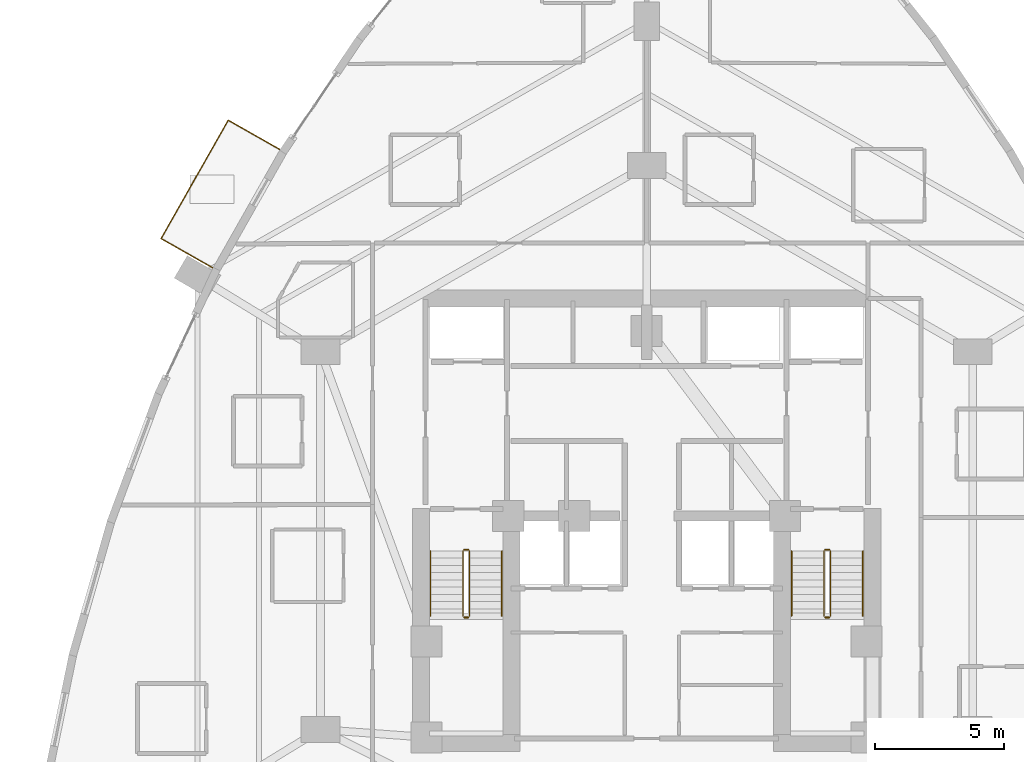
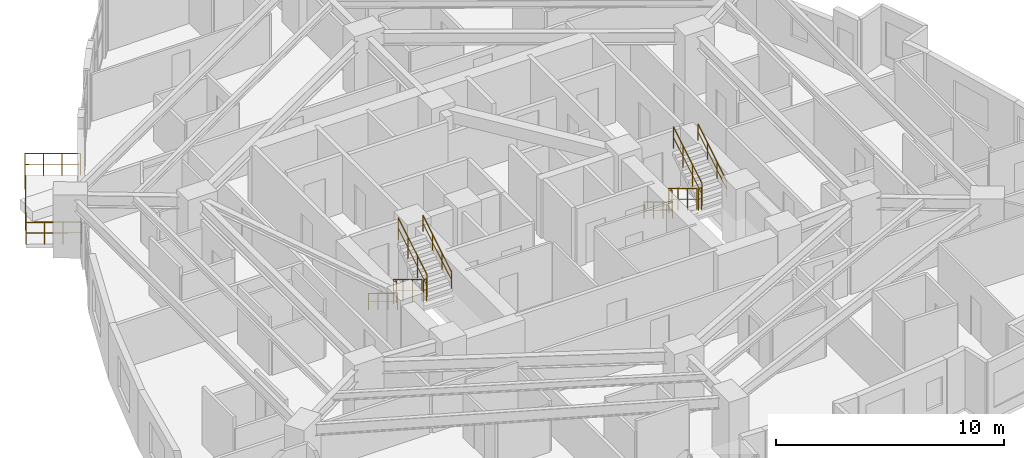
# One storey, part 17 of 17: 13 railings.
"""IFC4 building model written with IfcOpenShell, lengths in metres."""

from ifc_helpers import new_model, si_unit, direction, frame, origin, origin_2d, place, context, subcontext, project, spatial, circle, extrude, material, type_object, element, save


model = new_model("IFC4")

# Units and contexts
model_context = context("Model", 3, precision=1e-05, world=origin(), true_north=direction((0.0, 1.0)))
body_context = subcontext(model_context, "Body", "Model", "MODEL_VIEW")
ifc_project = project(units=[si_unit("LENGTHUNIT", "METRE"), si_unit("AREAUNIT", "SQUARE_METRE"), si_unit("VOLUMEUNIT", "CUBIC_METRE"), si_unit("PLANEANGLEUNIT", "RADIAN"), si_unit("MASSUNIT", "GRAM", prefix="KILO")], contexts=[model_context])

# Site, building, storey
site_placement = place(None, origin())
site = spatial("IfcSite", under=ifc_project, at=site_placement, CompositionType="ELEMENT")
building_placement = place(site_placement, origin())
building = spatial("IfcBuilding", under=site, at=building_placement, Name="Miruveldt Soraemaru", CompositionType="ELEMENT")
storey_placement = place(building_placement, frame((0.0, 0.0, 53.0)))
storey = spatial("IfcBuildingStorey", under=building, at=storey_placement, Name="L14", CompositionType="ELEMENT", Elevation=53.0)

# Railings
ifc_material_1 = material(Name="Anodised aluminium EN AW-6063 T6", Category="aluminium")
railing_type_1 = type_object("IfcRailingType", Name="RAIL-BAL-1200", PredefinedType="BALUSTRADE", material=ifc_material_1)
railing_1_placement = place(storey_placement, frame((29.96240234375, 58.134765625, 0.0)))
element("IfcRailing", 1, at=railing_1_placement, inside=storey, type_object=railing_type_1, Name="L14 Sky Garden Deck Guardrail", PredefinedType="BALUSTRADE", context=body_context, shape_type="SweptSolid", body=[
    extrude(circle(Radius=0.02392578125, at=origin_2d()), frame((0.0, 0.0, 1.17578125), z_axis=(-0.86982692837, 0.493356985034, 0.0), x_axis=(-0.493356985034, -0.86982692837, 0.0)), (0.0, 0.0, 1.0), 2.449951171875),
    extrude(circle(Radius=0.01611328125, at=origin_2d()), frame((0.0, 0.0, 0.60009765625), z_axis=(-0.86982692837, 0.493356985034, 0.0), x_axis=(-0.493356985034, -0.86982692837, 0.0)), (0.0, 0.0, 1.0), 2.449951171875),
    extrude(circle(Radius=0.02392578125, at=origin_2d()), frame((-2.131103515625, 1.208740234375, 1.17578125), z_axis=(-0.493360559662, -0.869824900868, 0.0), x_axis=(0.869824900868, -0.493360559662, 0.0)), (0.0, 0.0, 1.0), 5.2568359375),
    extrude(circle(Radius=0.01611328125, at=origin_2d()), frame((-2.131103515625, 1.208740234375, 0.60009765625), z_axis=(-0.493360559662, -0.869824900868, 0.0), x_axis=(0.869824900868, -0.493360559662, 0.0)), (0.0, 0.0, 1.0), 5.2568359375),
    extrude(circle(Radius=0.02392578125, at=origin_2d()), frame((-4.724609375, -3.36376953125, 1.17578125), z_axis=(0.86982692837, -0.493356985034, 0.0), x_axis=(0.493356985034, 0.86982692837, 0.0)), (0.0, 0.0, 1.0), 2.449951171875),
    extrude(circle(Radius=0.01611328125, at=origin_2d()), frame((-4.724609375, -3.36376953125, 0.60009765625), z_axis=(0.86982692837, -0.493356985034, 0.0), x_axis=(0.493356985034, 0.86982692837, 0.0)), (0.0, 0.0, 1.0), 2.449951171875),
    extrude(circle(Radius=0.02099609375, at=origin_2d()), origin(), (0.0, 0.0, 1.0), 1.15185546875),
    extrude(circle(Radius=0.02099609375, at=origin_2d()), frame((-0.71044921875, 0.40283203125, 0.0)), (0.0, 0.0, 1.0), 1.15185546875),
    extrude(circle(Radius=0.02099609375, at=origin_2d()), frame((-1.420654296875, 0.805908203125, 0.0)), (0.0, 0.0, 1.0), 1.15185546875),
    extrude(circle(Radius=0.02099609375, at=origin_2d()), frame((-2.131103515625, 1.208740234375, 0.0)), (0.0, 0.0, 1.0), 1.15185546875),
    extrude(circle(Radius=0.02099609375, at=origin_2d()), frame((-2.64990234375, 0.294189453125, 0.0)), (0.0, 0.0, 1.0), 1.15185546875),
    extrude(circle(Radius=0.02099609375, at=origin_2d()), frame((-3.16845703125, -0.620361328125, 0.0)), (0.0, 0.0, 1.0), 1.15185546875),
    extrude(circle(Radius=0.02099609375, at=origin_2d()), frame((-3.687255859375, -1.53466796875, 0.0)), (0.0, 0.0, 1.0), 1.15185546875),
    extrude(circle(Radius=0.02099609375, at=origin_2d()), frame((-4.205810546875, -2.44921875, 0.0)), (0.0, 0.0, 1.0), 1.15185546875),
    extrude(circle(Radius=0.02099609375, at=origin_2d()), frame((-4.724609375, -3.36376953125, 0.0)), (0.0, 0.0, 1.0), 1.15185546875),
    extrude(circle(Radius=0.02099609375, at=origin_2d()), frame((-4.01416015625, -3.7666015625, 0.0)), (0.0, 0.0, 1.0), 1.15185546875),
    extrude(circle(Radius=0.02099609375, at=origin_2d()), frame((-3.303955078125, -4.169677734375, 0.0)), (0.0, 0.0, 1.0), 1.15185546875),
    extrude(circle(Radius=0.02099609375, at=origin_2d()), frame((-2.593505859375, -4.572509765625, 0.0)), (0.0, 0.0, 1.0), 1.15185546875),
])
ifc_material_2 = material(Name="Steel S355 (355 MPa)", Category="steel")
railing_type_2 = type_object("IfcRailingType", Name="RAIL-HR-900", PredefinedType="HANDRAIL", material=ifc_material_2)
railing_2_placement = place(storey_placement, frame((35.64990234375, 42.699951171875, 0.169921875)))
element("IfcRailing", 2, at=railing_2_placement, inside=storey, type_object=railing_type_2, Name="L14 ST-1 stair handrail 1", PredefinedType="HANDRAIL", context=body_context, shape_type="SweptSolid", body=[
    extrude(circle(Radius=0.02392578125, at=origin_2d()), frame((0.0, 0.0, 0.8759765625), z_axis=(0.0, -0.85478489116, 0.518982456201), x_axis=(1.0, 0.0, 0.0)), (0.0, 0.0, 1.0), 2.9482421875),
    extrude(circle(Radius=0.01611328125, at=origin_2d()), frame((0.0, 0.0, 0.449951171875), z_axis=(0.0, -0.85478489116, 0.518982456201), x_axis=(1.0, 0.0, 0.0)), (0.0, 0.0, 1.0), 2.9482421875),
    extrude(circle(Radius=0.02099609375, at=origin_2d()), origin(), (0.0, 0.0, 1.0), 0.851806640625),
    extrude(circle(Radius=0.02099609375, at=origin_2d()), frame((0.0, -0.840087890625, 0.510009765625)), (0.0, 0.0, 1.0), 0.851806640625),
    extrude(circle(Radius=0.02099609375, at=origin_2d()), frame((0.0, -1.679931640625, 1.02001953125)), (0.0, 0.0, 1.0), 0.851806640625),
    extrude(circle(Radius=0.02099609375, at=origin_2d()), frame((0.0, -2.52001953125, 1.530029296875)), (0.0, 0.0, 1.0), 0.851806640625),
])
railing_3_placement = place(storey_placement, frame((38.39990234375, 40.179931640625, 1.8701171875)))
element("IfcRailing", 3, at=railing_3_placement, inside=storey, type_object=railing_type_2, Name="L14 ST-1 stair handrail 2", PredefinedType="HANDRAIL", context=body_context, shape_type="SweptSolid", body=[
    extrude(circle(Radius=0.02392578125, at=origin_2d()), frame((0.0, 0.0, 0.8759765625), z_axis=(0.0, 0.854821627497, 0.518921945155), x_axis=(-1.0, 0.0, 0.0)), (0.0, 0.0, 1.0), 2.947998046875),
    extrude(circle(Radius=0.01611328125, at=origin_2d()), frame((0.0, 0.0, 0.449951171875), z_axis=(0.0, 0.854821627497, 0.518921945155), x_axis=(-1.0, 0.0, 0.0)), (0.0, 0.0, 1.0), 2.947998046875),
    extrude(circle(Radius=0.02099609375, at=origin_2d()), origin(), (0.0, 0.0, 1.0), 0.851806640625),
    extrude(circle(Radius=0.02099609375, at=origin_2d()), frame((0.0, 0.840087890625, 0.510009765625)), (0.0, 0.0, 1.0), 0.851806640625),
    extrude(circle(Radius=0.02099609375, at=origin_2d()), frame((0.0, 1.679931640625, 1.019775390625)), (0.0, 0.0, 1.0), 0.851806640625),
    extrude(circle(Radius=0.02099609375, at=origin_2d()), frame((0.0, 2.52001953125, 1.52978515625)), (0.0, 0.0, 1.0), 0.851806640625),
])
railing_4_placement = place(storey_placement, frame((49.60009765625, 42.699951171875, 0.169921875)))
element("IfcRailing", 4, at=railing_4_placement, inside=storey, type_object=railing_type_2, Name="L14 ST-2 stair handrail 1", PredefinedType="HANDRAIL", context=body_context, shape_type="SweptSolid", body=[
    extrude(circle(Radius=0.02392578125, at=origin_2d()), frame((0.0, 0.0, 0.8759765625), z_axis=(0.0, -0.85478489116, 0.518982456201), x_axis=(1.0, 0.0, 0.0)), (0.0, 0.0, 1.0), 2.9482421875),
    extrude(circle(Radius=0.01611328125, at=origin_2d()), frame((0.0, 0.0, 0.449951171875), z_axis=(0.0, -0.85478489116, 0.518982456201), x_axis=(1.0, 0.0, 0.0)), (0.0, 0.0, 1.0), 2.9482421875),
    extrude(circle(Radius=0.02099609375, at=origin_2d()), origin(), (0.0, 0.0, 1.0), 0.851806640625),
    extrude(circle(Radius=0.02099609375, at=origin_2d()), frame((0.0, -0.840087890625, 0.510009765625)), (0.0, 0.0, 1.0), 0.851806640625),
    extrude(circle(Radius=0.02099609375, at=origin_2d()), frame((0.0, -1.679931640625, 1.02001953125)), (0.0, 0.0, 1.0), 0.851806640625),
    extrude(circle(Radius=0.02099609375, at=origin_2d()), frame((0.0, -2.52001953125, 1.530029296875)), (0.0, 0.0, 1.0), 0.851806640625),
])
railing_5_placement = place(storey_placement, frame((52.35009765625, 40.179931640625, 1.8701171875)))
element("IfcRailing", 5, at=railing_5_placement, inside=storey, type_object=railing_type_2, Name="L14 ST-2 stair handrail 2", PredefinedType="HANDRAIL", context=body_context, shape_type="SweptSolid", body=[
    extrude(circle(Radius=0.02392578125, at=origin_2d()), frame((0.0, 0.0, 0.8759765625), z_axis=(0.0, 0.854821627497, 0.518921945155), x_axis=(-1.0, 0.0, 0.0)), (0.0, 0.0, 1.0), 2.947998046875),
    extrude(circle(Radius=0.01611328125, at=origin_2d()), frame((0.0, 0.0, 0.449951171875), z_axis=(0.0, 0.854821627497, 0.518921945155), x_axis=(-1.0, 0.0, 0.0)), (0.0, 0.0, 1.0), 2.947998046875),
    extrude(circle(Radius=0.02099609375, at=origin_2d()), origin(), (0.0, 0.0, 1.0), 0.851806640625),
    extrude(circle(Radius=0.02099609375, at=origin_2d()), frame((0.0, 0.840087890625, 0.510009765625)), (0.0, 0.0, 1.0), 0.851806640625),
    extrude(circle(Radius=0.02099609375, at=origin_2d()), frame((0.0, 1.679931640625, 1.019775390625)), (0.0, 0.0, 1.0), 0.851806640625),
    extrude(circle(Radius=0.02099609375, at=origin_2d()), frame((0.0, 2.52001953125, 1.52978515625)), (0.0, 0.0, 1.0), 0.851806640625),
])
railing_type_3 = type_object("IfcRailingType", Name="RAIL-STGUARD-1200", PredefinedType="GUARDRAIL", material=ifc_material_2)
railing_6_placement = place(storey_placement, frame((36.89990234375, 42.699951171875, 0.169921875)))
element("IfcRailing", 6, at=railing_6_placement, inside=storey, type_object=railing_type_3, Name="L14 ST-1 stair guard 1", PredefinedType="GUARDRAIL", context=body_context, shape_type="SweptSolid", body=[
    extrude(circle(Radius=0.02392578125, at=origin_2d()), frame((0.0, 0.0, 1.17578125), z_axis=(0.0, -0.85478489116, 0.518982456201), x_axis=(1.0, 0.0, 0.0)), (0.0, 0.0, 1.0), 2.9482421875),
    extrude(circle(Radius=0.01611328125, at=origin_2d()), frame((0.0, 0.0, 0.60009765625), z_axis=(0.0, -0.85478489116, 0.518982456201), x_axis=(1.0, 0.0, 0.0)), (0.0, 0.0, 1.0), 2.9482421875),
    extrude(circle(Radius=0.02099609375, at=origin_2d()), origin(), (0.0, 0.0, 1.0), 1.15185546875),
    extrude(circle(Radius=0.02099609375, at=origin_2d()), frame((0.0, -0.840087890625, 0.510009765625)), (0.0, 0.0, 1.0), 1.15185546875),
    extrude(circle(Radius=0.02099609375, at=origin_2d()), frame((0.0, -1.679931640625, 1.02001953125)), (0.0, 0.0, 1.0), 1.15185546875),
    extrude(circle(Radius=0.02099609375, at=origin_2d()), frame((0.0, -2.52001953125, 1.530029296875)), (0.0, 0.0, 1.0), 1.15185546875),
])
railing_7_placement = place(storey_placement, frame((36.949951171875, 40.1298828125, 1.699951171875)))
element("IfcRailing", 7, at=railing_7_placement, inside=storey, type_object=railing_type_3, Name="L14 ST-1 stair guard 2", PredefinedType="GUARDRAIL", context=body_context, shape_type="SweptSolid", body=[
    extrude(circle(Radius=0.02392578125, at=origin_2d()), frame((0.0, 0.0, 1.17578125), z_axis=(1.0, 0.0, 0.0), x_axis=(0.0, 1.0, 0.0)), (0.0, 0.0, 1.0), 0.150146484375),
    extrude(circle(Radius=0.01611328125, at=origin_2d()), frame((0.0, 0.0, 0.60009765625), z_axis=(1.0, 0.0, 0.0), x_axis=(0.0, 1.0, 0.0)), (0.0, 0.0, 1.0), 0.150146484375),
    extrude(circle(Radius=0.02099609375, at=origin_2d()), origin(), (0.0, 0.0, 1.0), 1.15185546875),
    extrude(circle(Radius=0.02099609375, at=origin_2d()), frame((0.150146484375, 0.0, 0.0)), (0.0, 0.0, 1.0), 1.15185546875),
])
railing_8_placement = place(storey_placement, frame((37.14990234375, 40.179931640625, 1.8701171875)))
element("IfcRailing", 8, at=railing_8_placement, inside=storey, type_object=railing_type_3, Name="L14 ST-1 stair guard 3", PredefinedType="GUARDRAIL", context=body_context, shape_type="SweptSolid", body=[
    extrude(circle(Radius=0.02392578125, at=origin_2d()), frame((0.0, 0.0, 1.17578125), z_axis=(0.0, 0.854821627497, 0.518921945155), x_axis=(-1.0, 0.0, 0.0)), (0.0, 0.0, 1.0), 2.947998046875),
    extrude(circle(Radius=0.01611328125, at=origin_2d()), frame((0.0, 0.0, 0.60009765625), z_axis=(0.0, 0.854821627497, 0.518921945155), x_axis=(-1.0, 0.0, 0.0)), (0.0, 0.0, 1.0), 2.947998046875),
    extrude(circle(Radius=0.02099609375, at=origin_2d()), origin(), (0.0, 0.0, 1.0), 1.15185546875),
    extrude(circle(Radius=0.02099609375, at=origin_2d()), frame((0.0, 0.840087890625, 0.510009765625)), (0.0, 0.0, 1.0), 1.15185546875),
    extrude(circle(Radius=0.02099609375, at=origin_2d()), frame((0.0, 1.679931640625, 1.019775390625)), (0.0, 0.0, 1.0), 1.15185546875),
    extrude(circle(Radius=0.02099609375, at=origin_2d()), frame((0.0, 2.52001953125, 1.52978515625)), (0.0, 0.0, 1.0), 1.15185546875),
])
railing_9_placement = place(storey_placement, frame((36.949951171875, 42.75, 0.0)))
element("IfcRailing", 9, at=railing_9_placement, inside=storey, type_object=railing_type_3, Name="L14 ST-1 stair guard 4", PredefinedType="GUARDRAIL", context=body_context, shape_type="SweptSolid", body=[
    extrude(circle(Radius=0.02392578125, at=origin_2d()), frame((0.0, 0.0, 1.17578125), z_axis=(1.0, 0.0, 0.0), x_axis=(0.0, 1.0, 0.0)), (0.0, 0.0, 1.0), 0.150146484375),
    extrude(circle(Radius=0.01611328125, at=origin_2d()), frame((0.0, 0.0, 0.60009765625), z_axis=(1.0, 0.0, 0.0), x_axis=(0.0, 1.0, 0.0)), (0.0, 0.0, 1.0), 0.150146484375),
    extrude(circle(Radius=0.02099609375, at=origin_2d()), origin(), (0.0, 0.0, 1.0), 1.15185546875),
    extrude(circle(Radius=0.02099609375, at=origin_2d()), frame((0.150146484375, 0.0, 0.0)), (0.0, 0.0, 1.0), 1.15185546875),
])
railing_10_placement = place(storey_placement, frame((50.85009765625, 42.699951171875, 0.169921875)))
element("IfcRailing", 10, at=railing_10_placement, inside=storey, type_object=railing_type_3, Name="L14 ST-2 stair guard 1", PredefinedType="GUARDRAIL", context=body_context, shape_type="SweptSolid", body=[
    extrude(circle(Radius=0.02392578125, at=origin_2d()), frame((0.0, 0.0, 1.17578125), z_axis=(0.0, -0.85478489116, 0.518982456201), x_axis=(1.0, 0.0, 0.0)), (0.0, 0.0, 1.0), 2.9482421875),
    extrude(circle(Radius=0.01611328125, at=origin_2d()), frame((0.0, 0.0, 0.60009765625), z_axis=(0.0, -0.85478489116, 0.518982456201), x_axis=(1.0, 0.0, 0.0)), (0.0, 0.0, 1.0), 2.9482421875),
    extrude(circle(Radius=0.02099609375, at=origin_2d()), origin(), (0.0, 0.0, 1.0), 1.15185546875),
    extrude(circle(Radius=0.02099609375, at=origin_2d()), frame((0.0, -0.840087890625, 0.510009765625)), (0.0, 0.0, 1.0), 1.15185546875),
    extrude(circle(Radius=0.02099609375, at=origin_2d()), frame((0.0, -1.679931640625, 1.02001953125)), (0.0, 0.0, 1.0), 1.15185546875),
    extrude(circle(Radius=0.02099609375, at=origin_2d()), frame((0.0, -2.52001953125, 1.530029296875)), (0.0, 0.0, 1.0), 1.15185546875),
])
railing_11_placement = place(storey_placement, frame((50.89990234375, 40.1298828125, 1.699951171875)))
element("IfcRailing", 11, at=railing_11_placement, inside=storey, type_object=railing_type_3, Name="L14 ST-2 stair guard 2", PredefinedType="GUARDRAIL", context=body_context, shape_type="SweptSolid", body=[
    extrude(circle(Radius=0.02392578125, at=origin_2d()), frame((0.0, 0.0, 1.17578125), z_axis=(1.0, 0.0, 0.0), x_axis=(0.0, 1.0, 0.0)), (0.0, 0.0, 1.0), 0.150146484375),
    extrude(circle(Radius=0.01611328125, at=origin_2d()), frame((0.0, 0.0, 0.60009765625), z_axis=(1.0, 0.0, 0.0), x_axis=(0.0, 1.0, 0.0)), (0.0, 0.0, 1.0), 0.150146484375),
    extrude(circle(Radius=0.02099609375, at=origin_2d()), origin(), (0.0, 0.0, 1.0), 1.15185546875),
    extrude(circle(Radius=0.02099609375, at=origin_2d()), frame((0.150146484375, 0.0, 0.0)), (0.0, 0.0, 1.0), 1.15185546875),
])
railing_12_placement = place(storey_placement, frame((51.10009765625, 40.179931640625, 1.8701171875)))
element("IfcRailing", 12, at=railing_12_placement, inside=storey, type_object=railing_type_3, Name="L14 ST-2 stair guard 3", PredefinedType="GUARDRAIL", context=body_context, shape_type="SweptSolid", body=[
    extrude(circle(Radius=0.02392578125, at=origin_2d()), frame((0.0, 0.0, 1.17578125), z_axis=(0.0, 0.854821627497, 0.518921945155), x_axis=(-1.0, 0.0, 0.0)), (0.0, 0.0, 1.0), 2.947998046875),
    extrude(circle(Radius=0.01611328125, at=origin_2d()), frame((0.0, 0.0, 0.60009765625), z_axis=(0.0, 0.854821627497, 0.518921945155), x_axis=(-1.0, 0.0, 0.0)), (0.0, 0.0, 1.0), 2.947998046875),
    extrude(circle(Radius=0.02099609375, at=origin_2d()), origin(), (0.0, 0.0, 1.0), 1.15185546875),
    extrude(circle(Radius=0.02099609375, at=origin_2d()), frame((0.0, 0.840087890625, 0.510009765625)), (0.0, 0.0, 1.0), 1.15185546875),
    extrude(circle(Radius=0.02099609375, at=origin_2d()), frame((0.0, 1.679931640625, 1.019775390625)), (0.0, 0.0, 1.0), 1.15185546875),
    extrude(circle(Radius=0.02099609375, at=origin_2d()), frame((0.0, 2.52001953125, 1.52978515625)), (0.0, 0.0, 1.0), 1.15185546875),
])
railing_13_placement = place(storey_placement, frame((50.89990234375, 42.75, 0.0)))
element("IfcRailing", 13, at=railing_13_placement, inside=storey, type_object=railing_type_3, Name="L14 ST-2 stair guard 4", PredefinedType="GUARDRAIL", context=body_context, shape_type="SweptSolid", body=[
    extrude(circle(Radius=0.02392578125, at=origin_2d()), frame((0.0, 0.0, 1.17578125), z_axis=(1.0, 0.0, 0.0), x_axis=(0.0, 1.0, 0.0)), (0.0, 0.0, 1.0), 0.150146484375),
    extrude(circle(Radius=0.01611328125, at=origin_2d()), frame((0.0, 0.0, 0.60009765625), z_axis=(1.0, 0.0, 0.0), x_axis=(0.0, 1.0, 0.0)), (0.0, 0.0, 1.0), 0.150146484375),
    extrude(circle(Radius=0.02099609375, at=origin_2d()), origin(), (0.0, 0.0, 1.0), 1.15185546875),
    extrude(circle(Radius=0.02099609375, at=origin_2d()), frame((0.150146484375, 0.0, 0.0)), (0.0, 0.0, 1.0), 1.15185546875),
])

save(model, "model.ifc")
